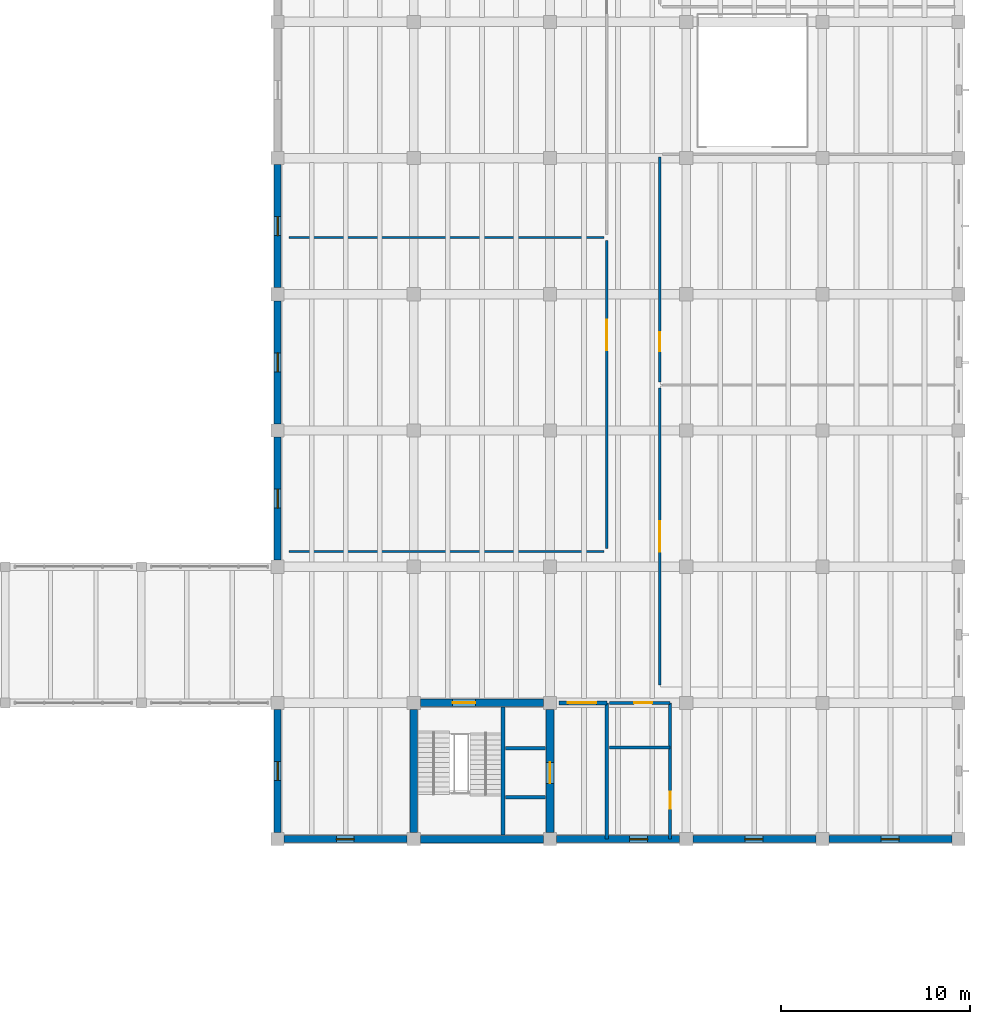
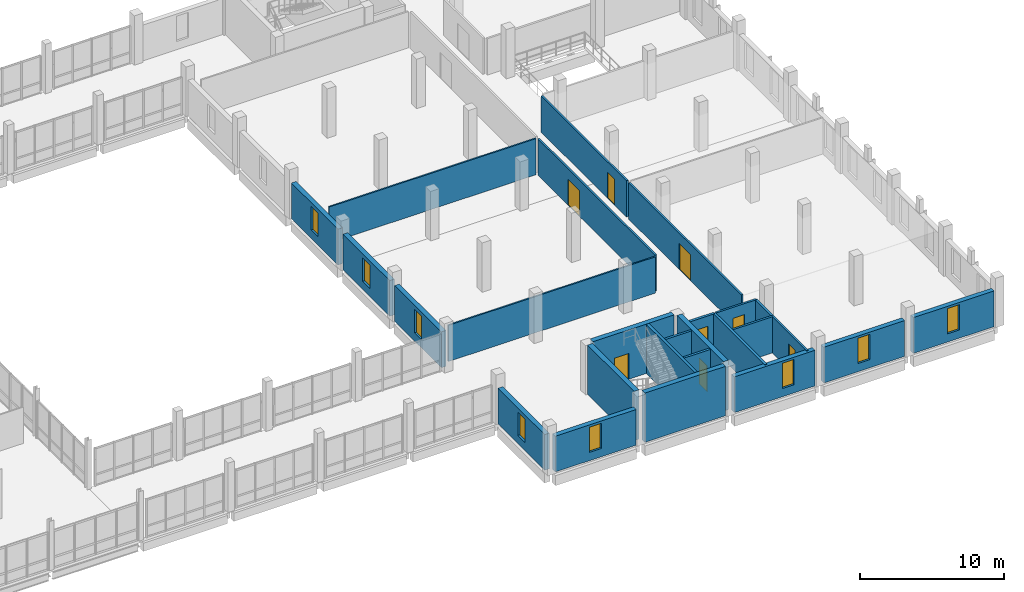
# One storey, part 63 of 72: 25 walls, 8 doors, 8 windows, 16 openings.
"""IFC4 building model written with IfcOpenShell, lengths in metres."""

from ifc_helpers import new_model, si_unit, direction, frame, frame_2d, origin, place, context, subcontext, project, spatial, rectangle, extrude, material, layer, layer_set, type_object, element, fill, save


model = new_model("IFC4")

# Units and contexts
model_context = context("Model", 3, precision=1e-05, world=origin(), true_north=direction((0.0, 1.0)))
body_context = subcontext(model_context, "Body", "Model", "MODEL_VIEW")
ifc_project = project(units=[si_unit("LENGTHUNIT", "METRE"), si_unit("AREAUNIT", "SQUARE_METRE"), si_unit("VOLUMEUNIT", "CUBIC_METRE"), si_unit("PLANEANGLEUNIT", "RADIAN"), si_unit("MASSUNIT", "GRAM", prefix="KILO")], contexts=[model_context])

# Site, building, storey
site_placement = place(None, origin())
site = spatial("IfcSite", under=ifc_project, at=site_placement, CompositionType="ELEMENT")
building_placement = place(site_placement, origin())
building = spatial("IfcBuilding", under=site, at=building_placement, Name="Qiaolan Assembly House", CompositionType="ELEMENT")
storey_placement = place(building_placement, frame((0.0, 0.0, 10.199951171875)))
storey = spatial("IfcBuildingStorey", under=building, at=storey_placement, Name="L02", CompositionType="ELEMENT", Elevation=10.199951171875)

# Wall
ifc_material_1 = material(Name="Concrete C45/55", Category="concrete")
ifc_layer_1 = layer(ifc_material_1, 0.39990234375)
ifc_layer_set_1 = layer_set([ifc_layer_1], Name="Concrete C45/55")
wall_type_1 = type_object("IfcWallType", Name="WAL-CORE-400", PredefinedType="SHEAR", material=ifc_layer_set_1)
wall_1_placement = place(storey_placement, frame((144.35009765625, 28.800048828125, 0.0), z_axis=(0.0, 0.0, 1.0), x_axis=(1.0, 0.0, 0.0)))
element("IfcWall", 1, at=wall_1_placement, inside=storey, type_object=wall_type_1, Name="CW-400 shear core wall CORE-E S L02", PredefinedType="SHEAR", context=body_context, shape_type="SweptSolid", body=[
    extrude(rectangle(XDim=6.5, YDim=0.39990234375, at=frame_2d((3.25, 0.0))), origin(), (0.0, 0.0, 1.0), 4.199951171875),
])

# Wall, opening, door
wall_2_placement = place(storey_placement, frame((151.199951171875, 29.14990234375, 0.0), z_axis=(0.0, 0.0, 1.0), x_axis=(0.0, 1.0, 0.0)))
wall_2 = element("IfcWall", 2, at=wall_2_placement, inside=storey, type_object=wall_type_1, Name="CW-400 shear core wall CORE-E E L02", PredefinedType="SHEAR", context=body_context, shape_type="SweptSolid", body=[
    extrude(rectangle(XDim=6.5, YDim=0.39990234375, at=frame_2d((3.25, 0.0))), origin(), (0.0, 0.0, 1.0), 4.199951171875),
])
opening_1_placement = place(wall_2_placement, frame((2.60009765625, 0.0, 0.0)))
opening_1 = element("IfcOpeningElement", 3, at=opening_1_placement, cuts=wall_2, Name="Opening LD-067", PredefinedType="OPENING", context=body_context, shape_type="SweptSolid", body=[
    extrude(rectangle(XDim=1.10009765625, YDim=2.199951171875, at=frame_2d((0.550048828125, 1.10009765625))), frame((0.0, 0.2099609375, 0.0), z_axis=(0.0, -1.0, 0.0), x_axis=(1.0, 0.0, 0.0)), (0.0, 0.0, 1.0), 0.419921875),
])
ifc_material_2 = material(Name="Anodised bronze aluminium", Category="aluminium")
door_type_1 = type_object("IfcDoorType", Name="DOR-LIFT-LD1100", OperationType="SLIDING_TO_LEFT", PredefinedType="DOOR", material=ifc_material_2)
door_1_placement = place(opening_1_placement, origin())
door_1 = element("IfcDoor", 4, at=door_1_placement, inside=storey, type_object=door_type_1, Name="Lift landing door LD-067 (LF-09 L02)", OperationType="SLIDING_TO_LEFT", OverallHeight=2.199951171875, OverallWidth=1.10009765625, PredefinedType="DOOR", context=body_context, shape_type="SweptSolid", body=[
    extrude(rectangle(XDim=1.10009765625, YDim=2.199951171875, at=frame_2d((0.550048828125, 1.10009765625))), frame((0.0, 0.02490234375, 0.0), z_axis=(0.0, -1.0, 0.0), x_axis=(1.0, 0.0, 0.0)), (0.0, 0.0, 1.0), 0.050048828125),
])
fill(opening_1, door_1)

wall_3_placement = place(storey_placement, frame((150.85009765625, 36.0, 0.0), z_axis=(0.0, 0.0, 1.0), x_axis=(-1.0, 0.0, 0.0)))
wall_3 = element("IfcWall", 5, at=wall_3_placement, inside=storey, type_object=wall_type_1, Name="CW-400 shear core wall CORE-E N L02", PredefinedType="SHEAR", context=body_context, shape_type="SweptSolid", body=[
    extrude(rectangle(XDim=6.5, YDim=0.39990234375, at=frame_2d((3.25, 0.0))), origin(), (0.0, 0.0, 1.0), 4.199951171875),
])
opening_2_placement = place(wall_3_placement, frame((3.60009765625, 0.0, 0.0)))
opening_2 = element("IfcOpeningElement", 6, at=opening_2_placement, cuts=wall_3, Name="Opening FD-117", PredefinedType="OPENING", context=body_context, shape_type="SweptSolid", body=[
    extrude(rectangle(XDim=1.199951171875, YDim=2.199951171875, at=frame_2d((0.60009765625, 1.10009765625))), frame((0.0, 0.2099609375, 0.0), z_axis=(0.0, -1.0, 0.0), x_axis=(1.0, 0.0, 0.0)), (0.0, 0.0, 1.0), 0.419921875),
])
ifc_material_3 = material(Name="Steel Q355B", Category="steel")
door_type_2 = type_object("IfcDoorType", Name="DOR-FIRE-FD90-1200", OperationType="NOTDEFINED", PredefinedType="DOOR", material=ifc_material_3)
door_2_placement = place(opening_2_placement, frame((1.199951171875, 0.0, 0.0), z_axis=(0.0, 0.0, 1.0), x_axis=(-1.0, 0.0, 0.0)))
door_2 = element("IfcDoor", 7, at=door_2_placement, inside=storey, type_object=door_type_2, Name="Stairwell fire door FD-117 (CORE-E L02)", OperationType="SINGLE_SWING_RIGHT", OverallHeight=2.199951171875, OverallWidth=1.199951171875, PredefinedType="DOOR", context=body_context, shape_type="SweptSolid", body=[
    extrude(rectangle(XDim=1.199951171875, YDim=2.199951171875, at=frame_2d((0.60009765625, 1.10009765625))), frame((0.0, 0.02490234375, 0.0), z_axis=(0.0, -1.0, 0.0), x_axis=(1.0, 0.0, 0.0)), (0.0, 0.0, 1.0), 0.050048828125),
])
fill(opening_2, door_2)

# Wall
wall_4_placement = place(storey_placement, frame((144.0, 35.64990234375, 0.0), z_axis=(0.0, 0.0, 1.0), x_axis=(0.0, -1.0, 0.0)))
element("IfcWall", 8, at=wall_4_placement, inside=storey, type_object=wall_type_1, Name="CW-400 shear core wall CORE-E W L02", PredefinedType="SHEAR", context=body_context, shape_type="SweptSolid", body=[
    extrude(rectangle(XDim=6.5, YDim=0.39990234375, at=frame_2d((3.25, 0.0))), origin(), (0.0, 0.0, 1.0), 4.199951171875),
])

# Wall, opening, window
ifc_material_4 = material(Name="Honed pale limestone", Category="masonry")
ifc_layer_2 = layer(ifc_material_4, 0.3798828125)
ifc_layer_set_2 = layer_set([ifc_layer_2], Name="Honed pale limestone")
wall_type_2 = type_object("IfcWallType", Name="WAL-EXT-LIB-380", PredefinedType="SOLIDWALL", material=ifc_layer_set_2)
wall_5_placement = place(storey_placement, frame((136.800048828125, 29.14794921875, 0.0), z_axis=(0.0, 0.0, 1.0), x_axis=(0.0, 1.0, 0.0)))
wall_5 = element("IfcWall", 9, at=wall_5_placement, inside=storey, type_object=wall_type_2, Name="Library West court wall L02-1", PredefinedType="SOLIDWALL", context=body_context, shape_type="SweptSolid", body=[
    extrude(rectangle(XDim=6.504150390625, YDim=0.3798828125, at=frame_2d((3.251953125, 0.0))), origin(), (0.0, 0.0, 1.0), 3.0400390625),
])
opening_3_placement = place(wall_5_placement, frame((2.751953125, 0.0, 0.699951171875)))
opening_3 = element("IfcOpeningElement", 10, at=opening_3_placement, cuts=wall_5, Name="Opening WN-458", PredefinedType="OPENING", context=body_context, shape_type="SweptSolid", body=[
    extrude(rectangle(XDim=1.0, YDim=2.0, at=frame_2d((0.5, 1.0))), frame((0.0, 0.199951171875, 0.0), z_axis=(0.0, -1.0, 0.0), x_axis=(1.0, 0.0, 0.0)), (0.0, 0.0, 1.0), 0.39990234375),
])
ifc_material_5 = material(Name="Low-E double insulating glass", Category="glass")
window_type_1 = type_object("IfcWindowType", Name="WIN-LIB-ARCH-1000x2000", PartitioningType="SINGLE_PANEL", PredefinedType="WINDOW", material=ifc_material_5)
window_1_placement = place(opening_3_placement, origin())
window_1 = element("IfcWindow", 11, at=window_1_placement, inside=storey, type_object=window_type_1, Name="Library courtyard window WN-458", OverallHeight=2.0, OverallWidth=1.0, PartitioningType="SINGLE_PANEL", PredefinedType="WINDOW", context=body_context, shape_type="SweptSolid", body=[
    extrude(rectangle(XDim=1.0, YDim=2.0, at=frame_2d((0.5, 1.0))), frame((0.0, 0.030029296875, 0.0), z_axis=(0.0, -1.0, 0.0), x_axis=(1.0, 0.0, 0.0)), (0.0, 0.0, 1.0), 0.06005859375),
])
fill(opening_3, window_1)

wall_6_placement = place(storey_placement, frame((136.800048828125, 43.548095703125, 0.0), z_axis=(0.0, 0.0, 1.0), x_axis=(0.0, 1.0, 0.0)))
wall_6 = element("IfcWall", 12, at=wall_6_placement, inside=storey, type_object=wall_type_2, Name="Library West court wall L02-3", PredefinedType="SOLIDWALL", context=body_context, shape_type="SweptSolid", body=[
    extrude(rectangle(XDim=6.50390625, YDim=0.3798828125, at=frame_2d((3.251953125, 0.0))), origin(), (0.0, 0.0, 1.0), 3.0400390625),
])
opening_4_placement = place(wall_6_placement, frame((2.751953125, 0.0, 0.699951171875)))
opening_4 = element("IfcOpeningElement", 13, at=opening_4_placement, cuts=wall_6, Name="Opening WN-463", PredefinedType="OPENING", context=body_context, shape_type="SweptSolid", body=[
    extrude(rectangle(XDim=1.0, YDim=2.0, at=frame_2d((0.5, 1.0))), frame((0.0, 0.199951171875, 0.0), z_axis=(0.0, -1.0, 0.0), x_axis=(1.0, 0.0, 0.0)), (0.0, 0.0, 1.0), 0.39990234375),
])
window_2_placement = place(opening_4_placement, origin())
window_2 = element("IfcWindow", 14, at=window_2_placement, inside=storey, type_object=window_type_1, Name="Library courtyard window WN-463", OverallHeight=2.0, OverallWidth=1.0, PartitioningType="SINGLE_PANEL", PredefinedType="WINDOW", context=body_context, shape_type="SweptSolid", body=[
    extrude(rectangle(XDim=1.0, YDim=2.0, at=frame_2d((0.5, 1.0))), frame((0.0, 0.030029296875, 0.0), z_axis=(0.0, -1.0, 0.0), x_axis=(1.0, 0.0, 0.0)), (0.0, 0.0, 1.0), 0.06005859375),
])
fill(opening_4, window_2)

wall_7_placement = place(storey_placement, frame((136.800048828125, 50.748046875, 0.0), z_axis=(0.0, 0.0, 1.0), x_axis=(0.0, 1.0, 0.0)))
wall_7 = element("IfcWall", 15, at=wall_7_placement, inside=storey, type_object=wall_type_2, Name="Library West court wall L02-4", PredefinedType="SOLIDWALL", context=body_context, shape_type="SweptSolid", body=[
    extrude(rectangle(XDim=6.50390625, YDim=0.3798828125, at=frame_2d((3.251953125, 0.0))), origin(), (0.0, 0.0, 1.0), 3.0400390625),
])
opening_5_placement = place(wall_7_placement, frame((2.751953125, 0.0, 0.699951171875)))
opening_5 = element("IfcOpeningElement", 16, at=opening_5_placement, cuts=wall_7, Name="Opening WN-466", PredefinedType="OPENING", context=body_context, shape_type="SweptSolid", body=[
    extrude(rectangle(XDim=1.0, YDim=2.0, at=frame_2d((0.5, 1.0))), frame((0.0, 0.199951171875, 0.0), z_axis=(0.0, -1.0, 0.0), x_axis=(1.0, 0.0, 0.0)), (0.0, 0.0, 1.0), 0.39990234375),
])
window_3_placement = place(opening_5_placement, origin())
window_3 = element("IfcWindow", 17, at=window_3_placement, inside=storey, type_object=window_type_1, Name="Library courtyard window WN-466", OverallHeight=2.0, OverallWidth=1.0, PartitioningType="SINGLE_PANEL", PredefinedType="WINDOW", context=body_context, shape_type="SweptSolid", body=[
    extrude(rectangle(XDim=1.0, YDim=2.0, at=frame_2d((0.5, 1.0))), frame((0.0, 0.030029296875, 0.0), z_axis=(0.0, -1.0, 0.0), x_axis=(1.0, 0.0, 0.0)), (0.0, 0.0, 1.0), 0.06005859375),
])
fill(opening_5, window_3)

wall_8_placement = place(storey_placement, frame((136.800048828125, 57.947998046875, 0.0), z_axis=(0.0, 0.0, 1.0), x_axis=(0.0, 1.0, 0.0)))
wall_8 = element("IfcWall", 18, at=wall_8_placement, inside=storey, type_object=wall_type_2, Name="Library West court wall L02-5", PredefinedType="SOLIDWALL", context=body_context, shape_type="SweptSolid", body=[
    extrude(rectangle(XDim=6.50390625, YDim=0.3798828125, at=frame_2d((3.251953125, 0.0))), origin(), (0.0, 0.0, 1.0), 3.0400390625),
])
opening_6_placement = place(wall_8_placement, frame((2.751953125, 0.0, 0.699951171875)))
opening_6 = element("IfcOpeningElement", 19, at=opening_6_placement, cuts=wall_8, Name="Opening WN-469", PredefinedType="OPENING", context=body_context, shape_type="SweptSolid", body=[
    extrude(rectangle(XDim=1.0, YDim=2.0, at=frame_2d((0.5, 1.0))), frame((0.0, 0.199951171875, 0.0), z_axis=(0.0, -1.0, 0.0), x_axis=(1.0, 0.0, 0.0)), (0.0, 0.0, 1.0), 0.39990234375),
])
window_4_placement = place(opening_6_placement, origin())
window_4 = element("IfcWindow", 20, at=window_4_placement, inside=storey, type_object=window_type_1, Name="Library courtyard window WN-469", OverallHeight=2.0, OverallWidth=1.0, PartitioningType="SINGLE_PANEL", PredefinedType="WINDOW", context=body_context, shape_type="SweptSolid", body=[
    extrude(rectangle(XDim=1.0, YDim=2.0, at=frame_2d((0.5, 1.0))), frame((0.0, 0.030029296875, 0.0), z_axis=(0.0, -1.0, 0.0), x_axis=(1.0, 0.0, 0.0)), (0.0, 0.0, 1.0), 0.06005859375),
])
fill(opening_6, window_4)

wall_9_placement = place(storey_placement, frame((137.14794921875, 28.800048828125, 0.0), z_axis=(0.0, 0.0, 1.0), x_axis=(1.0, 0.0, 0.0)))
wall_9 = element("IfcWall", 21, at=wall_9_placement, inside=storey, type_object=wall_type_2, Name="Library South wall L02-1", PredefinedType="SOLIDWALL", context=body_context, shape_type="SweptSolid", body=[
    extrude(rectangle(XDim=6.504150390625, YDim=0.3798828125, at=frame_2d((3.251953125, 0.0))), origin(), (0.0, 0.0, 1.0), 3.0400390625),
])
opening_7_placement = place(wall_9_placement, frame((2.751953125, 0.0, 0.699951171875)))
opening_7 = element("IfcOpeningElement", 22, at=opening_7_placement, cuts=wall_9, Name="Opening WN-478", PredefinedType="OPENING", context=body_context, shape_type="SweptSolid", body=[
    extrude(rectangle(XDim=0.949951171875, YDim=2.14990234375, at=frame_2d((0.47509765625, 1.074951171875))), frame((0.0, 0.199951171875, 0.0), z_axis=(0.0, -1.0, 0.0), x_axis=(1.0, 0.0, 0.0)), (0.0, 0.0, 1.0), 0.39990234375),
])
window_type_2 = type_object("IfcWindowType", Name="WIN-PUNCH-950x2150", PartitioningType="SINGLE_PANEL", PredefinedType="WINDOW", material=ifc_material_5)
window_5_placement = place(opening_7_placement, origin())
window_5 = element("IfcWindow", 23, at=window_5_placement, inside=storey, type_object=window_type_2, Name="Library South window WN-478", OverallHeight=2.14990234375, OverallWidth=0.949951171875, PartitioningType="SINGLE_PANEL", PredefinedType="WINDOW", context=body_context, shape_type="SweptSolid", body=[
    extrude(rectangle(XDim=0.949951171875, YDim=2.14990234375, at=frame_2d((0.47509765625, 1.074951171875))), frame((0.0, 0.030029296875, 0.0), z_axis=(0.0, -1.0, 0.0), x_axis=(1.0, 0.0, 0.0)), (0.0, 0.0, 1.0), 0.06005859375),
])
fill(opening_7, window_5)

wall_10_placement = place(storey_placement, frame((151.548095703125, 28.800048828125, 0.0), z_axis=(0.0, 0.0, 1.0), x_axis=(1.0, 0.0, 0.0)))
wall_10 = element("IfcWall", 24, at=wall_10_placement, inside=storey, type_object=wall_type_2, Name="Library South wall L02-3", PredefinedType="SOLIDWALL", context=body_context, shape_type="SweptSolid", body=[
    extrude(rectangle(XDim=6.50390625, YDim=0.3798828125, at=frame_2d((3.251953125, 0.0))), origin(), (0.0, 0.0, 1.0), 3.0400390625),
])
opening_8_placement = place(wall_10_placement, frame((3.860595703125, 0.0, 0.699951171875)))
opening_8 = element("IfcOpeningElement", 25, at=opening_8_placement, cuts=wall_10, Name="Opening WN-480", PredefinedType="OPENING", context=body_context, shape_type="SweptSolid", body=[
    extrude(rectangle(XDim=0.949951171875, YDim=2.14990234375, at=frame_2d((0.47509765625, 1.074951171875))), frame((0.0, 0.199951171875, 0.0), z_axis=(0.0, -1.0, 0.0), x_axis=(1.0, 0.0, 0.0)), (0.0, 0.0, 1.0), 0.39990234375),
])
window_6_placement = place(opening_8_placement, origin())
window_6 = element("IfcWindow", 26, at=window_6_placement, inside=storey, type_object=window_type_2, Name="Library South window WN-480", OverallHeight=2.14990234375, OverallWidth=0.949951171875, PartitioningType="SINGLE_PANEL", PredefinedType="WINDOW", context=body_context, shape_type="SweptSolid", body=[
    extrude(rectangle(XDim=0.949951171875, YDim=2.14990234375, at=frame_2d((0.47509765625, 1.074951171875))), frame((0.0, 0.030029296875, 0.0), z_axis=(0.0, -1.0, 0.0), x_axis=(1.0, 0.0, 0.0)), (0.0, 0.0, 1.0), 0.06005859375),
])
fill(opening_8, window_6)

wall_11_placement = place(storey_placement, frame((158.748046875, 28.800048828125, 0.0), z_axis=(0.0, 0.0, 1.0), x_axis=(1.0, 0.0, 0.0)))
wall_11 = element("IfcWall", 27, at=wall_11_placement, inside=storey, type_object=wall_type_2, Name="Library South wall L02-4", PredefinedType="SOLIDWALL", context=body_context, shape_type="SweptSolid", body=[
    extrude(rectangle(XDim=6.50390625, YDim=0.3798828125, at=frame_2d((3.251953125, 0.0))), origin(), (0.0, 0.0, 1.0), 3.0400390625),
])
opening_9_placement = place(wall_11_placement, frame((2.751953125, 0.0, 0.699951171875)))
opening_9 = element("IfcOpeningElement", 28, at=opening_9_placement, cuts=wall_11, Name="Opening WN-482", PredefinedType="OPENING", context=body_context, shape_type="SweptSolid", body=[
    extrude(rectangle(XDim=0.949951171875, YDim=2.14990234375, at=frame_2d((0.47509765625, 1.074951171875))), frame((0.0, 0.199951171875, 0.0), z_axis=(0.0, -1.0, 0.0), x_axis=(1.0, 0.0, 0.0)), (0.0, 0.0, 1.0), 0.39990234375),
])
window_7_placement = place(opening_9_placement, origin())
window_7 = element("IfcWindow", 29, at=window_7_placement, inside=storey, type_object=window_type_2, Name="Library South window WN-482", OverallHeight=2.14990234375, OverallWidth=0.949951171875, PartitioningType="SINGLE_PANEL", PredefinedType="WINDOW", context=body_context, shape_type="SweptSolid", body=[
    extrude(rectangle(XDim=0.949951171875, YDim=2.14990234375, at=frame_2d((0.47509765625, 1.074951171875))), frame((0.0, 0.030029296875, 0.0), z_axis=(0.0, -1.0, 0.0), x_axis=(1.0, 0.0, 0.0)), (0.0, 0.0, 1.0), 0.06005859375),
])
fill(opening_9, window_7)

wall_12_placement = place(storey_placement, frame((165.947998046875, 28.800048828125, 0.0), z_axis=(0.0, 0.0, 1.0), x_axis=(1.0, 0.0, 0.0)))
wall_12 = element("IfcWall", 30, at=wall_12_placement, inside=storey, type_object=wall_type_2, Name="Library South wall L02-5", PredefinedType="SOLIDWALL", context=body_context, shape_type="SweptSolid", body=[
    extrude(rectangle(XDim=6.50390625, YDim=0.3798828125, at=frame_2d((3.251953125, 0.0))), origin(), (0.0, 0.0, 1.0), 3.0400390625),
])
opening_10_placement = place(wall_12_placement, frame((2.751953125, 0.0, 0.699951171875)))
opening_10 = element("IfcOpeningElement", 31, at=opening_10_placement, cuts=wall_12, Name="Opening WN-484", PredefinedType="OPENING", context=body_context, shape_type="SweptSolid", body=[
    extrude(rectangle(XDim=0.949951171875, YDim=2.14990234375, at=frame_2d((0.47509765625, 1.074951171875))), frame((0.0, 0.199951171875, 0.0), z_axis=(0.0, -1.0, 0.0), x_axis=(1.0, 0.0, 0.0)), (0.0, 0.0, 1.0), 0.39990234375),
])
window_8_placement = place(opening_10_placement, origin())
window_8 = element("IfcWindow", 32, at=window_8_placement, inside=storey, type_object=window_type_2, Name="Library South window WN-484", OverallHeight=2.14990234375, OverallWidth=0.949951171875, PartitioningType="SINGLE_PANEL", PredefinedType="WINDOW", context=body_context, shape_type="SweptSolid", body=[
    extrude(rectangle(XDim=0.949951171875, YDim=2.14990234375, at=frame_2d((0.47509765625, 1.074951171875))), frame((0.0, 0.030029296875, 0.0), z_axis=(0.0, -1.0, 0.0), x_axis=(1.0, 0.0, 0.0)), (0.0, 0.0, 1.0), 0.06005859375),
])
fill(opening_10, window_8)

# Wall
ifc_material_6 = material(Name="Concrete C35/45", Category="concrete")
ifc_layer_3 = layer(ifc_material_6, 0.199951171875)
ifc_layer_set_3 = layer_set([ifc_layer_3], Name="Concrete C35/45")
wall_type_3 = type_object("IfcWallType", Name="WAL-LOBBY-200", PredefinedType="PARTITIONING", material=ifc_layer_set_3)
wall_13_placement = place(storey_placement, frame((154.199951171875, 28.800048828125, 0.0), z_axis=(0.0, 0.0, 1.0), x_axis=(0.0, 1.0, 0.0)))
element("IfcWall", 33, at=wall_13_placement, inside=storey, type_object=wall_type_3, Name="Firefighting lift lobby east wall CORE-E L02", PredefinedType="PARTITIONING", context=body_context, shape_type="SweptSolid", body=[
    extrude(rectangle(XDim=7.199951171875, YDim=0.199951171875, at=frame_2d((3.60009765625, 0.0))), origin(), (0.0, 0.0, 1.0), 3.080078125),
])

# Wall, opening, door
wall_14_placement = place(storey_placement, frame((154.199951171875, 36.0, 0.0), z_axis=(0.0, 0.0, 1.0), x_axis=(-1.0, 0.0, 0.0)))
wall_14 = element("IfcWall", 34, at=wall_14_placement, inside=storey, type_object=wall_type_3, Name="Firefighting lift lobby north wall CORE-E L02", PredefinedType="PARTITIONING", context=body_context, shape_type="SweptSolid", body=[
    extrude(rectangle(XDim=2.52001953125, YDim=0.199951171875, at=frame_2d((1.260009765625, 0.0))), origin(), (0.0, 0.0, 1.0), 3.080078125),
])
opening_11_placement = place(wall_14_placement, frame((0.550048828125, 0.0, 0.0)))
opening_11 = element("IfcOpeningElement", 35, at=opening_11_placement, cuts=wall_14, Name="Opening FD-118", PredefinedType="OPENING", context=body_context, shape_type="SweptSolid", body=[
    extrude(rectangle(XDim=1.5, YDim=2.199951171875, at=frame_2d((0.75, 1.10009765625))), frame((0.0, 0.10986328125, 0.0), z_axis=(0.0, -1.0, 0.0), x_axis=(1.0, 0.0, 0.0)), (0.0, 0.0, 1.0), 0.219970703125),
])
ifc_material_7 = material(Name="Acoustic oak panelling")
door_type_3 = type_object("IfcDoorType", Name="DOR-LOBBY-FD60-1500", OperationType="DOUBLE_DOOR_SINGLE_SWING", PredefinedType="DOOR", material=ifc_material_7)
door_3_placement = place(opening_11_placement, frame((1.5, 0.0, 0.0), z_axis=(0.0, 0.0, 1.0), x_axis=(-1.0, 0.0, 0.0)))
door_3 = element("IfcDoor", 36, at=door_3_placement, inside=storey, type_object=door_type_3, Name="Lobby corridor fire door FD-118", OperationType="DOUBLE_DOOR_SINGLE_SWING", OverallHeight=2.199951171875, OverallWidth=1.5, PredefinedType="DOOR", context=body_context, shape_type="SweptSolid", body=[
    extrude(rectangle(XDim=1.5, YDim=2.199951171875, at=frame_2d((0.75, 1.10009765625))), frame((0.0, 0.02490234375, 0.0), z_axis=(0.0, -1.0, 0.0), x_axis=(1.0, 0.0, 0.0)), (0.0, 0.0, 1.0), 0.050048828125),
])
fill(opening_11, door_3)

# Walls
ifc_material_8 = material(Name="Gypsum plasterboard partition")
ifc_layer_4 = layer(ifc_material_8, 0.1201171875)
ifc_layer_set_4 = layer_set([ifc_layer_4], Name="Gypsum plasterboard partition")
wall_type_4 = type_object("IfcWallType", Name="WAL-PART-120", PredefinedType="PARTITIONING", material=ifc_layer_set_4)
for number, where, z_axis, x_axis, name in (
    (37, (137.39990234375, 44.0, 0.0), (0.0, 0.0, 1.0), (1.0, 0.0, 0.0), "Cloister Court Reading Carrels L02 end wall"),
    (38, (137.39990234375, 60.60009765625, 0.0), (0.0, 0.0, 1.0), (1.0, 0.0, 0.0), "Municipal Legal Reference Stacks L02 divider wall"),
):
    element("IfcWall", number, at=place(storey_placement, frame(where, z_axis=z_axis, x_axis=x_axis)), inside=storey, type_object=wall_type_4, Name=name, PredefinedType="PARTITIONING", context=body_context, shape_type="SweptSolid", body=[
        extrude(rectangle(XDim=16.650146484375, YDim=0.1201171875, at=frame_2d((8.3251953125, 0.0))), origin(), (0.0, 0.0, 1.0), 3.080078125),
    ])

# Wall, opening, door
ifc_layer_5 = layer(ifc_material_8, 0.14990234375)
ifc_layer_set_5 = layer_set([ifc_layer_5], Name="Gypsum plasterboard partition")
wall_type_5 = type_object("IfcWallType", Name="WAL-PART-150", PredefinedType="PARTITIONING", material=ifc_layer_set_5)
wall_15_placement = place(storey_placement, frame((154.199951171875, 60.449951171875, 0.0), z_axis=(0.0, 0.0, 1.0), x_axis=(0.0, -1.0, 0.0)))
wall_15 = element("IfcWall", 39, at=wall_15_placement, inside=storey, type_object=wall_type_5, Name="Cloister Court Reading Carrels L02 corridor wall", PredefinedType="PARTITIONING", context=body_context, shape_type="SweptSolid", body=[
    extrude(rectangle(XDim=16.300048828125, YDim=0.14990234375, at=frame_2d((8.14990234375, 0.0))), origin(), (0.0, 0.0, 1.0), 3.080078125),
])
opening_12_placement = place(wall_15_placement, frame((4.199951171875, 0.0, 0.0)))
opening_12 = element("IfcOpeningElement", 40, at=opening_12_placement, cuts=wall_15, Name="Opening MD-284", PredefinedType="OPENING", context=body_context, shape_type="SweptSolid", body=[
    extrude(rectangle(XDim=1.60009765625, YDim=2.199951171875, at=frame_2d((0.800048828125, 1.10009765625))), frame((0.0, 0.0849609375, 0.0), z_axis=(0.0, -1.0, 0.0), x_axis=(1.0, 0.0, 0.0)), (0.0, 0.0, 1.0), 0.169921875),
])
door_type_4 = type_object("IfcDoorType", Name="DOR-COMM-DBL-1600", OperationType="DOUBLE_DOOR_SINGLE_SWING", PredefinedType="DOOR", material=ifc_material_7)
door_4_placement = place(opening_12_placement, origin())
door_4 = element("IfcDoor", 41, at=door_4_placement, inside=storey, type_object=door_type_4, Name="Cloister Court Reading Carrels L02 door MD-284", OperationType="DOUBLE_DOOR_SINGLE_SWING", OverallHeight=2.199951171875, OverallWidth=1.60009765625, PredefinedType="DOOR", context=body_context, shape_type="SweptSolid", body=[
    extrude(rectangle(XDim=1.60009765625, YDim=2.199951171875, at=frame_2d((0.800048828125, 1.10009765625))), frame((0.0, 0.02490234375, 0.0), z_axis=(0.0, -1.0, 0.0), x_axis=(1.0, 0.0, 0.0)), (0.0, 0.0, 1.0), 0.050048828125),
])
fill(opening_12, door_4)

wall_16_placement = place(storey_placement, frame((157.0, 36.949951171875, 0.0), z_axis=(0.0, 0.0, 1.0), x_axis=(0.0, 1.0, 0.0)))
wall_16 = element("IfcWall", 42, at=wall_16_placement, inside=storey, type_object=wall_type_5, Name="Members' Library Upper Reading & Map Gallery corridor wall", PredefinedType="PARTITIONING", context=body_context, shape_type="SweptSolid", body=[
    extrude(rectangle(XDim=15.699951171875, YDim=0.14990234375, at=frame_2d((7.85009765625, 0.0))), origin(), (0.0, 0.0, 1.0), 3.080078125),
])
opening_13_placement = place(wall_16_placement, frame((7.050048828125, 0.0, 0.0)))
opening_13 = element("IfcOpeningElement", 43, at=opening_13_placement, cuts=wall_16, Name="Opening MD-286", PredefinedType="OPENING", context=body_context, shape_type="SweptSolid", body=[
    extrude(rectangle(XDim=1.60009765625, YDim=2.199951171875, at=frame_2d((0.800048828125, 1.10009765625))), frame((0.0, 0.0849609375, 0.0), z_axis=(0.0, -1.0, 0.0), x_axis=(1.0, 0.0, 0.0)), (0.0, 0.0, 1.0), 0.169921875),
])
door_5_placement = place(opening_13_placement, origin())
door_5 = element("IfcDoor", 44, at=door_5_placement, inside=storey, type_object=door_type_4, Name="Members' Library Upper Reading & Map Gallery door MD-286", OperationType="DOUBLE_DOOR_SINGLE_SWING", OverallHeight=2.199951171875, OverallWidth=1.60009765625, PredefinedType="DOOR", context=body_context, shape_type="SweptSolid", body=[
    extrude(rectangle(XDim=1.60009765625, YDim=2.199951171875, at=frame_2d((0.800048828125, 1.10009765625))), frame((0.0, 0.02490234375, 0.0), z_axis=(0.0, -1.0, 0.0), x_axis=(1.0, 0.0, 0.0)), (0.0, 0.0, 1.0), 0.050048828125),
])
fill(opening_13, door_5)

wall_17_placement = place(storey_placement, frame((157.0, 52.949951171875, 0.0), z_axis=(0.0, 0.0, 1.0), x_axis=(0.0, 1.0, 0.0)))
wall_17 = element("IfcWall", 45, at=wall_17_placement, inside=storey, type_object=wall_type_5, Name="Digital Microfilm & Audio-Visual Archive Studio corridor wall", PredefinedType="PARTITIONING", context=body_context, shape_type="SweptSolid", body=[
    extrude(rectangle(XDim=11.900146484375, YDim=0.14990234375, at=frame_2d((5.9501953125, 0.0))), origin(), (0.0, 0.0, 1.0), 3.080078125),
])
opening_14_placement = place(wall_17_placement, frame((1.64990234375, 0.0, 0.0)))
opening_14 = element("IfcOpeningElement", 46, at=opening_14_placement, cuts=wall_17, Name="Opening MD-287", PredefinedType="OPENING", context=body_context, shape_type="SweptSolid", body=[
    extrude(rectangle(XDim=1.0, YDim=2.199951171875, at=frame_2d((0.5, 1.10009765625))), frame((0.0, 0.0849609375, 0.0), z_axis=(0.0, -1.0, 0.0), x_axis=(1.0, 0.0, 0.0)), (0.0, 0.0, 1.0), 0.169921875),
])
door_type_5 = type_object("IfcDoorType", Name="DOR-OFF-SGL-1000", OperationType="NOTDEFINED", PredefinedType="DOOR", material=ifc_material_7)
door_6_placement = place(opening_14_placement, origin())
door_6 = element("IfcDoor", 47, at=door_6_placement, inside=storey, type_object=door_type_5, Name="Digital Microfilm & Audio-Visual Archive Studio door MD-287", OperationType="SINGLE_SWING_RIGHT", OverallHeight=2.199951171875, OverallWidth=1.0, PredefinedType="DOOR", context=body_context, shape_type="SweptSolid", body=[
    extrude(rectangle(XDim=1.0, YDim=2.199951171875, at=frame_2d((0.5, 1.10009765625))), frame((0.0, 0.02490234375, 0.0), z_axis=(0.0, -1.0, 0.0), x_axis=(1.0, 0.0, 0.0)), (0.0, 0.0, 1.0), 0.050048828125),
])
fill(opening_14, door_6)

# Walls
ifc_layer_6 = layer(ifc_material_6, 0.18505859375)
ifc_layer_set_6 = layer_set([ifc_layer_6], Name="Concrete C35/45")
wall_type_6 = type_object("IfcWallType", Name="WAL-SHAFT-200", PredefinedType="PARTITIONING", material=ifc_layer_set_6)
for number, where, z_axis, x_axis, name in (
    (48, (148.85009765625, 31.0, 0.0), (0.0, 0.0, 1.0), (1.0, 0.0, 0.0), "SW-200 lift shaft wall LF-09 L02 DIVS"),
    (49, (148.85009765625, 33.60009765625, 0.0), (0.0, 0.0, 1.0), (1.0, 0.0, 0.0), "SW-200 lift shaft wall LF-09 L02 DIVN"),
):
    element("IfcWall", number, at=place(storey_placement, frame(where, z_axis=z_axis, x_axis=x_axis)), inside=storey, type_object=wall_type_6, Name=name, PredefinedType="PARTITIONING", context=body_context, shape_type="SweptSolid", body=[
        extrude(rectangle(XDim=2.099853515625, YDim=0.18505859375, at=frame_2d((1.0498046875, 0.0))), origin(), (0.0, 0.0, 1.0), 4.199951171875),
    ])
ifc_material_9 = material(Name="Concrete C40/50", Category="concrete")
ifc_layer_7 = layer(ifc_material_9, 0.22509765625)
ifc_layer_set_7 = layer_set([ifc_layer_7], Name="Concrete C40/50")
wall_type_7 = type_object("IfcWallType", Name="WAL-STAIR-DIV-225", PredefinedType="SHEAR", material=ifc_layer_set_7)
wall_18_placement = place(storey_placement, frame((148.719970703125, 29.02001953125, 0.0), z_axis=(0.0, 0.0, 1.0), x_axis=(0.0, 1.0, 0.0)))
element("IfcWall", 50, at=wall_18_placement, inside=storey, type_object=wall_type_7, Name="SDW-225 stairwell structural spine wall CORE-E L02", PredefinedType="SHEAR", context=body_context, shape_type="SweptSolid", body=[
    extrude(rectangle(XDim=6.760009765625, YDim=0.22509765625, at=frame_2d((3.3798828125, 0.0))), origin(), (0.0, 0.0, 1.0), 4.199951171875),
])

# Wall, opening, door
ifc_material_10 = material(Name="Concrete C30/37", Category="concrete")
ifc_layer_8 = layer(ifc_material_10, 0.1650390625)
ifc_layer_set_8 = layer_set([ifc_layer_8], Name="Concrete C30/37")
wall_type_8 = type_object("IfcWallType", Name="WAL-WET-150", PredefinedType="PARTITIONING", material=ifc_layer_set_8)
wall_19_placement = place(storey_placement, frame((157.550048828125, 28.800048828125, 0.0), z_axis=(0.0, 0.0, 1.0), x_axis=(0.0, 1.0, 0.0)))
wall_19 = element("IfcWall", 51, at=wall_19_placement, inside=storey, type_object=wall_type_8, Name="Public WC east wall CORE-E L02", PredefinedType="PARTITIONING", context=body_context, shape_type="SweptSolid", body=[
    extrude(rectangle(XDim=7.199951171875, YDim=0.1650390625, at=frame_2d((3.60009765625, 0.0))), origin(), (0.0, 0.0, 1.0), 3.080078125),
])
opening_15_placement = place(wall_19_placement, frame((1.60009765625, 0.0, 0.0)))
opening_15 = element("IfcOpeningElement", 52, at=opening_15_placement, cuts=wall_19, Name="Opening WD-119", PredefinedType="OPENING", context=body_context, shape_type="SweptSolid", body=[
    extrude(rectangle(XDim=0.89990234375, YDim=2.14990234375, at=frame_2d((0.449951171875, 1.074951171875))), frame((0.0, 0.092529296875, 0.0), z_axis=(0.0, -1.0, 0.0), x_axis=(1.0, 0.0, 0.0)), (0.0, 0.0, 1.0), 0.18505859375),
])
door_type_6 = type_object("IfcDoorType", Name="DOR-WC-900", OperationType="NOTDEFINED", PredefinedType="DOOR", material=ifc_material_7)
door_7_placement = place(opening_15_placement, origin())
door_7 = element("IfcDoor", 53, at=door_7_placement, inside=storey, type_object=door_type_6, Name="Public Restroom door WD-119", OperationType="SINGLE_SWING_LEFT", OverallHeight=2.14990234375, OverallWidth=0.89990234375, PredefinedType="DOOR", context=body_context, shape_type="SweptSolid", body=[
    extrude(rectangle(XDim=0.89990234375, YDim=2.14990234375, at=frame_2d((0.449951171875, 1.074951171875))), frame((0.0, 0.02490234375, 0.0), z_axis=(0.0, -1.0, 0.0), x_axis=(1.0, 0.0, 0.0)), (0.0, 0.0, 1.0), 0.050048828125),
])
fill(opening_15, door_7)

wall_20_placement = place(storey_placement, frame((157.550048828125, 36.0, 0.0), z_axis=(0.0, 0.0, 1.0), x_axis=(-1.0, 0.0, 0.0)))
wall_20 = element("IfcWall", 54, at=wall_20_placement, inside=storey, type_object=wall_type_8, Name="Accessible WC corridor wall CORE-E L02", PredefinedType="PARTITIONING", context=body_context, shape_type="SweptSolid", body=[
    extrude(rectangle(XDim=3.199951171875, YDim=0.1650390625, at=frame_2d((1.60009765625, 0.0))), origin(), (0.0, 0.0, 1.0), 3.080078125),
])
opening_16_placement = place(wall_20_placement, frame((0.949951171875, 0.0, 0.0)))
opening_16 = element("IfcOpeningElement", 55, at=opening_16_placement, cuts=wall_20, Name="Opening AD-120", PredefinedType="OPENING", context=body_context, shape_type="SweptSolid", body=[
    extrude(rectangle(XDim=0.949951171875, YDim=2.14990234375, at=frame_2d((0.47509765625, 1.074951171875))), frame((0.0, 0.092529296875, 0.0), z_axis=(0.0, -1.0, 0.0), x_axis=(1.0, 0.0, 0.0)), (0.0, 0.0, 1.0), 0.18505859375),
])
door_type_7 = type_object("IfcDoorType", Name="DOR-ACC-WC-950", OperationType="NOTDEFINED", PredefinedType="DOOR", material=ifc_material_7)
door_8_placement = place(opening_16_placement, origin())
door_8 = element("IfcDoor", 56, at=door_8_placement, inside=storey, type_object=door_type_7, Name="Accessible Restroom door AD-120", OperationType="SINGLE_SWING_RIGHT", OverallHeight=2.14990234375, OverallWidth=0.949951171875, PredefinedType="DOOR", context=body_context, shape_type="SweptSolid", body=[
    extrude(rectangle(XDim=0.949951171875, YDim=2.14990234375, at=frame_2d((0.47509765625, 1.074951171875))), frame((0.0, 0.02490234375, 0.0), z_axis=(0.0, -1.0, 0.0), x_axis=(1.0, 0.0, 0.0)), (0.0, 0.0, 1.0), 0.050048828125),
])
fill(opening_16, door_8)

# Wall
wall_21_placement = place(storey_placement, frame((154.35009765625, 33.64990234375, 0.0), z_axis=(0.0, 0.0, 1.0), x_axis=(1.0, 0.0, 0.0)))
element("IfcWall", 57, at=wall_21_placement, inside=storey, type_object=wall_type_8, Name="WC divider wall CORE-E L02", PredefinedType="PARTITIONING", context=body_context, shape_type="SweptSolid", body=[
    extrude(rectangle(XDim=3.199951171875, YDim=0.1650390625, at=frame_2d((1.60009765625, 0.0))), origin(), (0.0, 0.0, 1.0), 3.080078125),
])

save(model, "model.ifc")
